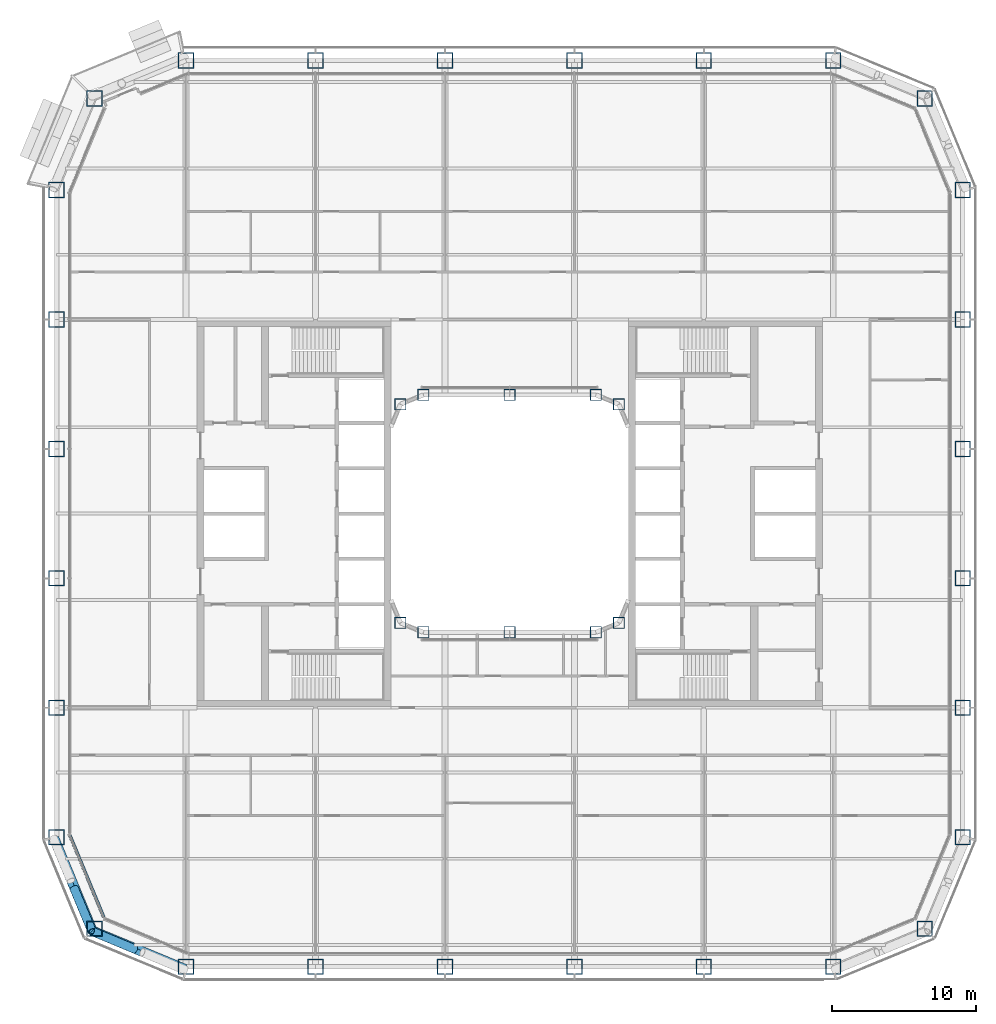
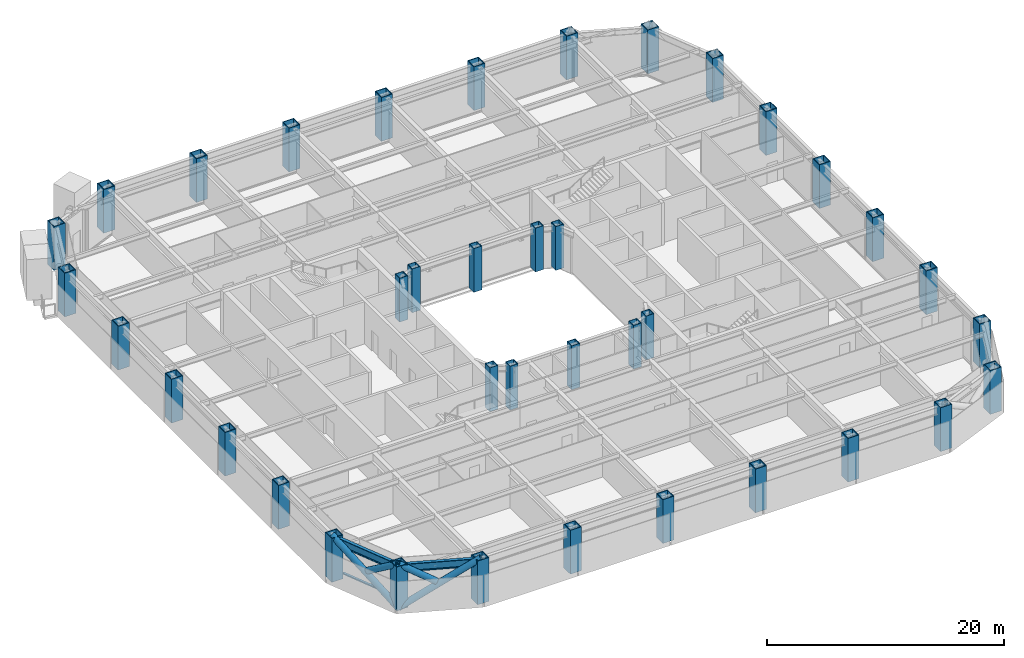
# One storey, part 1 of 29: 38 columns, 5 members, 2 beams, 1 element without a shape of its own.
"""IFC4 building model written with IfcOpenShell, lengths in metres."""

from ifc_helpers import new_model, si_unit, direction, frame, origin, origin_2d, place, context, subcontext, project, spatial, rectangle, hollow_rectangle, hollow_circle, i_section, extrude, material, layer, layer_set, material_profile, profile_set, type_object, element, aggregate, save


model = new_model("IFC4")

# Units and contexts
model_context = context("Model", 3, precision=1e-05, world=origin(), true_north=direction((0.0, 1.0)))
body_context = subcontext(model_context, "Body", "Model", "MODEL_VIEW")
ifc_project = project(units=[si_unit("LENGTHUNIT", "METRE"), si_unit("AREAUNIT", "SQUARE_METRE"), si_unit("VOLUMEUNIT", "CUBIC_METRE"), si_unit("PLANEANGLEUNIT", "RADIAN"), si_unit("MASSUNIT", "GRAM", prefix="KILO")], contexts=[model_context])

# Site, building, storey
site_placement = place(None, origin())
site = spatial("IfcSite", under=ifc_project, at=site_placement, CompositionType="ELEMENT")
building_placement = place(site_placement, origin())
building = spatial("IfcBuilding", under=site, at=building_placement, Name="Siwar Civic Tower", CompositionType="ELEMENT")
storey_placement = place(building_placement, frame((0.0, 0.0, 49.199951171875)))
storey = spatial("IfcBuildingStorey", under=building, at=storey_placement, Name="L10", CompositionType="ELEMENT", Elevation=49.199951171875)

# Columns
ifc_material_1 = material(Name="Steel S460", Category="steel")
ifc_material_profile_1 = material_profile(ifc_material_1, hollow_rectangle(XDim=1.10009765625, YDim=1.10009765625, WallThickness=0.070068359375, at=origin_2d()), Name="BOX1100x1100x70")
ifc_profile_set_1 = profile_set([ifc_material_profile_1], Name="Steel S460")
column_type_1 = type_object("IfcColumnType", Name="STR-COL-BOX1100x1100x70", PredefinedType="COLUMN", material=ifc_profile_set_1)
for number, where, z_axis, x_axis, name in (
    (1, (-22.5, -31.5, 0.0), (0.0, 0.0, 1.0), (1.0, 0.0, 0.0), "L10/col/S-0"),
    (2, (-13.5, -31.5, 0.0), (0.0, 0.0, 1.0), (1.0, 0.0, 0.0), "L10/col/S-1"),
    (3, (-4.5, -31.5, 0.0), (0.0, 0.0, 1.0), (1.0, 0.0, 0.0), "L10/col/S-2"),
    (4, (4.5, -31.5, 0.0), (0.0, 0.0, 1.0), (1.0, 0.0, 0.0), "L10/col/S-3"),
    (5, (13.5, -31.5, 0.0), (0.0, 0.0, 1.0), (1.0, 0.0, 0.0), "L10/col/S-4"),
    (6, (22.5, -31.5, 0.0), (0.0, 0.0, 1.0), (1.0, 0.0, 0.0), "L10/col/SE1-0"),
    (7, (28.864013671875, -28.864013671875, 0.0), (0.0, 0.0, 1.0), (1.0, 0.0, 0.0), "L10/col/SE2-0"),
    (8, (31.5, -22.5, 0.0), (0.0, 0.0, 1.0), (1.0, 0.0, 0.0), "L10/col/E-0"),
    (9, (31.5, -13.5, 0.0), (0.0, 0.0, 1.0), (1.0, 0.0, 0.0), "L10/col/E-1"),
    (10, (31.5, -4.5, 0.0), (0.0, 0.0, 1.0), (1.0, 0.0, 0.0), "L10/col/E-2"),
    (11, (31.5, 4.5, 0.0), (0.0, 0.0, 1.0), (1.0, 0.0, 0.0), "L10/col/E-3"),
    (12, (31.5, 13.5, 0.0), (0.0, 0.0, 1.0), (1.0, 0.0, 0.0), "L10/col/E-4"),
    (13, (31.5, 22.5, 0.0), (0.0, 0.0, 1.0), (1.0, 0.0, 0.0), "L10/col/NE1-0"),
    (14, (28.864013671875, 28.864013671875, 0.0), (0.0, 0.0, 1.0), (1.0, 0.0, 0.0), "L10/col/NE2-0"),
    (15, (22.5, 31.5, 0.0), (0.0, 0.0, 1.0), (1.0, 0.0, 0.0), "L10/col/N-0"),
    (16, (13.5, 31.5, 0.0), (0.0, 0.0, 1.0), (1.0, 0.0, 0.0), "L10/col/N-1"),
    (17, (4.5, 31.5, 0.0), (0.0, 0.0, 1.0), (1.0, 0.0, 0.0), "L10/col/N-2"),
    (18, (-4.5, 31.5, 0.0), (0.0, 0.0, 1.0), (1.0, 0.0, 0.0), "L10/col/N-3"),
    (19, (-13.5, 31.5, 0.0), (0.0, 0.0, 1.0), (1.0, 0.0, 0.0), "L10/col/N-4"),
    (20, (-22.5, 31.5, 0.0), (0.0, 0.0, 1.0), (1.0, 0.0, 0.0), "L10/col/NW1-0"),
    (21, (-28.864013671875, 28.864013671875, 0.0), (0.0, 0.0, 1.0), (1.0, 0.0, 0.0), "L10/col/NW2-0"),
    (22, (-31.5, 22.5, 0.0), (0.0, 0.0, 1.0), (1.0, 0.0, 0.0), "L10/col/W-0"),
    (23, (-31.5, 13.5, 0.0), (0.0, 0.0, 1.0), (1.0, 0.0, 0.0), "L10/col/W-1"),
    (24, (-31.5, 4.5, 0.0), (0.0, 0.0, 1.0), (1.0, 0.0, 0.0), "L10/col/W-2"),
    (25, (-31.5, -4.5, 0.0), (0.0, 0.0, 1.0), (1.0, 0.0, 0.0), "L10/col/W-3"),
    (26, (-31.5, -13.5, 0.0), (0.0, 0.0, 1.0), (1.0, 0.0, 0.0), "L10/col/W-4"),
    (27, (-31.5, -22.5, 0.0), (0.0, 0.0, 1.0), (1.0, 0.0, 0.0), "L10/col/SW1-0"),
    (28, (-28.864013671875, -28.864013671875, 0.0), (0.0, 0.0, 1.0), (1.0, 0.0, 0.0), "L10/col/SW2-0"),
):
    element("IfcColumn", number, at=place(storey_placement, frame(where, z_axis=z_axis, x_axis=x_axis)), inside=storey, type_object=column_type_1, Name=name, PredefinedType="COLUMN", context=body_context, shape_type="SweptSolid", body=[
        extrude(hollow_rectangle(XDim=1.10009765625, YDim=1.10009765625, WallThickness=0.070068359375, at=origin_2d()), origin(), (0.0, 0.0, 1.0), 4.5),
    ])
ifc_material_2 = material(Name="Steel S355", Category="steel")
ifc_material_profile_2 = material_profile(ifc_material_2, hollow_rectangle(XDim=0.800048828125, YDim=0.800048828125, WallThickness=0.050048828125, at=origin_2d()), Name="BOX800x800x50")
ifc_profile_set_2 = profile_set([ifc_material_profile_2], Name="Steel S355")
column_type_2 = type_object("IfcColumnType", Name="STR-ICOL-BOX800x800x50", PredefinedType="COLUMN", material=ifc_profile_set_2)
for number, where, z_axis, x_axis, name in (
    (29, (-7.591064453125, -7.591064453125, 0.0), (0.0, 0.0, 1.0), (1.0, 0.0, 0.0), "L10/col/IS-0"),
    (30, (-6.0, -8.25, 0.0), (0.0, 0.0, 1.0), (1.0, 0.0, 0.0), "L10/col/IS-1"),
    (31, (0.0, -8.25, 0.0), (0.0, 0.0, 1.0), (1.0, 0.0, 0.0), "L10/col/IS-2"),
    (32, (6.0, -8.25, 0.0), (0.0, 0.0, 1.0), (1.0, 0.0, 0.0), "L10/col/IS-3"),
    (33, (7.591064453125, -7.591064453125, 0.0), (0.0, 0.0, 1.0), (1.0, 0.0, 0.0), "L10/col/IS-4"),
    (34, (-7.591064453125, 7.591064453125, 0.0), (0.0, 0.0, 1.0), (1.0, 0.0, 0.0), "L10/col/IN-0"),
    (35, (-6.0, 8.25, 0.0), (0.0, 0.0, 1.0), (1.0, 0.0, 0.0), "L10/col/IN-1"),
    (36, (0.0, 8.25, 0.0), (0.0, 0.0, 1.0), (1.0, 0.0, 0.0), "L10/col/IN-2"),
    (37, (6.0, 8.25, 0.0), (0.0, 0.0, 1.0), (1.0, 0.0, 0.0), "L10/col/IN-3"),
    (38, (7.591064453125, 7.591064453125, 0.0), (0.0, 0.0, 1.0), (1.0, 0.0, 0.0), "L10/col/IN-4"),
):
    element("IfcColumn", number, at=place(storey_placement, frame(where, z_axis=z_axis, x_axis=x_axis)), inside=storey, type_object=column_type_2, Name=name, PredefinedType="COLUMN", context=body_context, shape_type="SweptSolid", body=[
        extrude(hollow_rectangle(XDim=0.800048828125, YDim=0.800048828125, WallThickness=0.050048828125, at=origin_2d()), origin(), (0.0, 0.0, 1.0), 4.5),
    ])

# Curtain wall, member
ifc_material_3 = material(Name="Aluminium clad insulated panel", Category="aluminium")
ifc_layer = layer(ifc_material_3, 0.219970703125)
ifc_layer_set = layer_set([ifc_layer], Name="Aluminium clad insulated panel")
curtain_wall_type = type_object("IfcCurtainWallType", Name="ENV-CW-AX", PredefinedType="NOTDEFINED", material=ifc_layer_set)
curtain_wall_placement = place(storey_placement, origin())
curtain_wall = element("IfcCurtainWall", 39, at=curtain_wall_placement, inside=storey, type_object=curtain_wall_type, Name="Curtain wall A SW1", PredefinedType="NOTDEFINED")
ifc_material_4 = material(Name="Aluminium 6063-T6", Category="aluminium")
ifc_material_profile_3 = material_profile(ifc_material_4, rectangle(XDim=0.219970703125, YDim=0.1201171875, at=origin_2d()), Name="AL 220x120")
ifc_profile_set_3 = profile_set([ifc_material_profile_3], Name="Aluminium 6063-T6")
member_type_1 = type_object("IfcMemberType", Name="ENV-TRANSOM-A", PredefinedType="USERDEFINED", material=ifc_profile_set_3)
member_1_placement = place(storey_placement, frame((-30.586669921875, -22.353271484375, 0.06005859375), z_axis=(0.382698415042, -0.923873326341, 0.0), x_axis=(0.923873326341, 0.382698415042, 0.0)))
member_1 = element("IfcMember", 40, at=member_1_placement, type_object=member_type_1, Name="Transom A SW1 1", ObjectType="TRANSOM", PredefinedType="USERDEFINED", context=body_context, shape_type="SweptSolid", body=[
    extrude(rectangle(XDim=0.219970703125, YDim=0.1201171875, at=origin_2d()), origin(), (0.0, 0.0, 1.0), 6.17919921875),
])
aggregate(curtain_wall, [member_1])

# Members
ifc_material_5 = material(Name="Steel S355", Category="steel")
ifc_material_profile_4 = material_profile(ifc_material_5, hollow_circle(Radius=0.304931640625, WallThickness=0.030029296875, at=origin_2d()), Name="CHS610x30")
ifc_profile_set_4 = profile_set([ifc_material_profile_4], Name="Steel S355")
member_type_2 = type_object("IfcMemberType", Name="STR-BR-CHS610x30", PredefinedType="BRACE", material=ifc_profile_set_4)
member_2_placement = place(storey_placement, frame((-29.040771484375, -29.040771484375, 0.0), z_axis=(0.777554562952, -0.323905527954, 0.538975055633), x_axis=(0.384538969033, 0.923108759191, 0.0)))
element("IfcMember", 41, at=member_2_placement, inside=storey, type_object=member_type_2, Name="L10/brc/ASW1-9-0-1", PredefinedType="BRACE", context=body_context, shape_type="SweptSolid", body=[
    extrude(hollow_circle(Radius=0.304931640625, WallThickness=0.030029296875, at=origin_2d()), origin(), (0.0, 0.0, 1.0), 8.34912109375),
])
member_3_placement = place(storey_placement, frame((-26.052001953125, -30.285888671875, 2.428466796875), z_axis=(-0.777568797048, 0.323934068367, 0.538937366685), x_axis=(-0.384561842466, -0.923099230484, 0.0)))
element("IfcMember", 42, at=member_3_placement, inside=storey, type_object=member_type_2, Name="L10/brc/ASW1-9-0-3", PredefinedType="BRACE", context=body_context, shape_type="SweptSolid", body=[
    extrude(hollow_circle(Radius=0.304931640625, WallThickness=0.030029296875, at=origin_2d()), origin(), (0.0, 0.0, 1.0), 3.84375),
])
member_4_placement = place(storey_placement, frame((-29.040771484375, -29.040771484375, 0.0), z_axis=(-0.323905527954, 0.777554562952, 0.538975055633), x_axis=(-0.923108759191, -0.384538969033, 0.0)))
element("IfcMember", 43, at=member_4_placement, inside=storey, type_object=member_type_2, Name="L10/brc/ASW1-9-0-0", PredefinedType="BRACE", context=body_context, shape_type="SweptSolid", body=[
    extrude(hollow_circle(Radius=0.304931640625, WallThickness=0.030029296875, at=origin_2d()), origin(), (0.0, 0.0, 1.0), 8.34912109375),
])
member_5_placement = place(storey_placement, frame((-30.285888671875, -26.052001953125, 2.428466796875), z_axis=(0.323934068367, -0.777568797048, 0.538937366685), x_axis=(0.923099230484, 0.384561842466, 0.0)))
element("IfcMember", 44, at=member_5_placement, inside=storey, type_object=member_type_2, Name="L10/brc/ASW1-9-0-5", PredefinedType="BRACE", context=body_context, shape_type="SweptSolid", body=[
    extrude(hollow_circle(Radius=0.304931640625, WallThickness=0.030029296875, at=origin_2d()), origin(), (0.0, 0.0, 1.0), 3.84375),
])

# Beams
ifc_material_6 = material(Name="Steel S355", Category="steel")
ifc_material_profile_5 = material_profile(ifc_material_6, i_section(OverallWidth=0.302978515625, OverallDepth=0.81396484375, WebThickness=0.02099609375, FlangeThickness=0.0400390625, FilletRadius=0.030029296875, at=origin_2d()), Name="HEM800")
ifc_profile_set_5 = profile_set([ifc_material_profile_5], Name="Steel S355")
beam_type = type_object("IfcBeamType", Name="STR-SB-HEM800", PredefinedType="BEAM", material=ifc_profile_set_5)
for number, where, z_axis, x_axis, name in (
    (45, (-31.5, -22.5, 3.943115234375), (0.382674207535, -0.923883353507, 0.0), (0.923883353507, 0.382674207535, 0.0), "L10/bm/SSW1-0"),
    (46, (-28.864013671875, -28.864013671875, 3.943115234375), (0.923883353507, -0.382674207535, 0.0), (0.382674207535, 0.923883353507, 0.0), "L10/bm/SSW2-0"),
):
    element("IfcBeam", number, at=place(storey_placement, frame(where, z_axis=z_axis, x_axis=x_axis)), inside=storey, type_object=beam_type, Name=name, PredefinedType="BEAM", context=body_context, shape_type="SweptSolid", body=[
        extrude(i_section(OverallWidth=0.302978515625, OverallDepth=0.81396484375, WebThickness=0.02099609375, FlangeThickness=0.0400390625, FilletRadius=0.030029296875, at=origin_2d()), origin(), (0.0, 0.0, 1.0), 6.888427734375),
    ])

save(model, "model.ifc")
